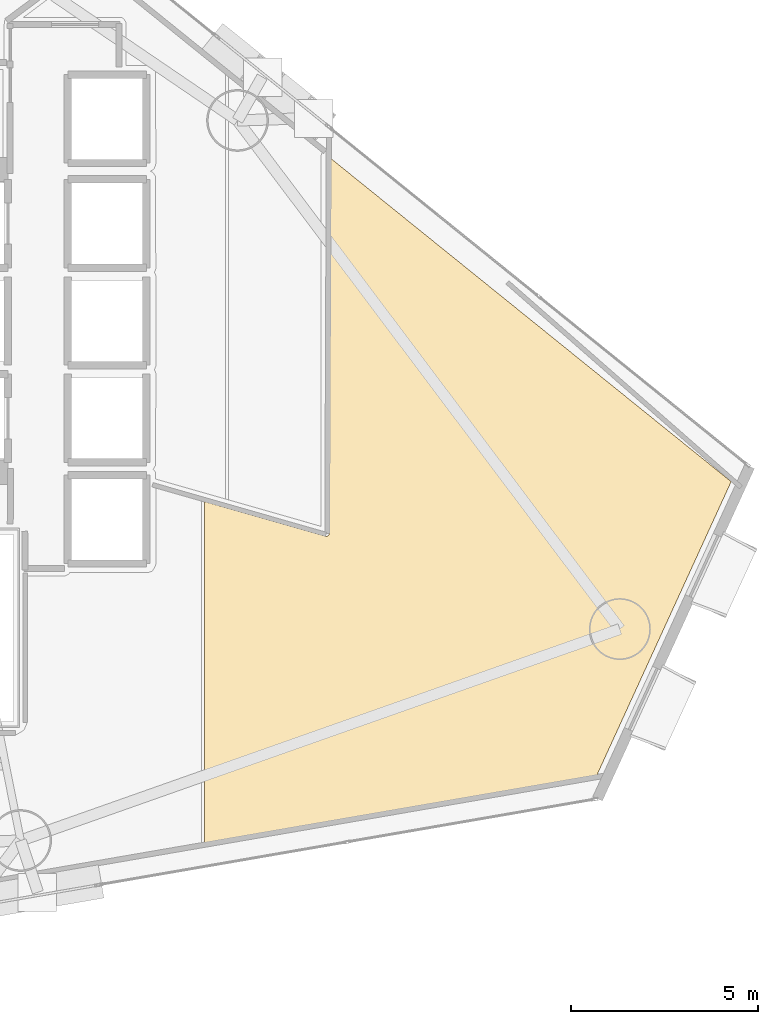
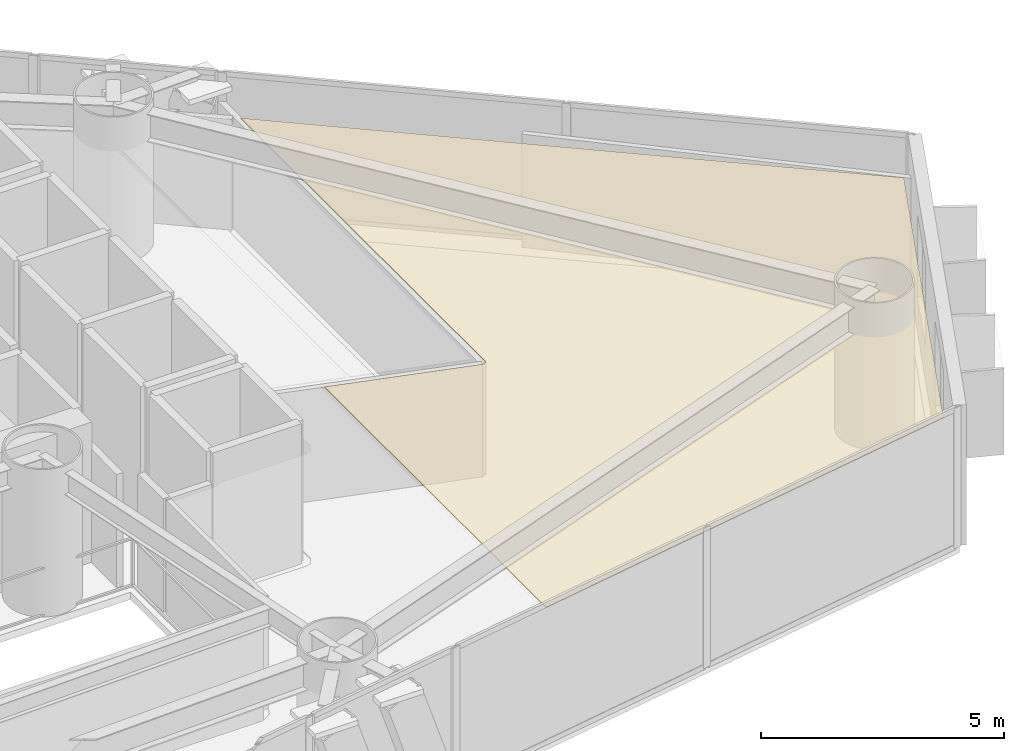
# One storey, part 23 of 23: 1 covering.
"""IFC4 building model written with IfcOpenShell, lengths in metres."""

from ifc_helpers import new_model, si_unit, direction, frame, origin, place, context, subcontext, project, spatial, polyline, outline, extrude, material, layer, layer_set, type_object, element, save


model = new_model("IFC4")

# Units and contexts
model_context = context("Model", 3, precision=1e-05, world=origin(), true_north=direction((0.0, 1.0)))
body_context = subcontext(model_context, "Body", "Model", "MODEL_VIEW")
ifc_project = project(units=[si_unit("LENGTHUNIT", "METRE"), si_unit("AREAUNIT", "SQUARE_METRE"), si_unit("VOLUMEUNIT", "CUBIC_METRE"), si_unit("PLANEANGLEUNIT", "RADIAN"), si_unit("MASSUNIT", "GRAM", prefix="KILO")], contexts=[model_context])

# Site, building, storey
site_placement = place(None, origin())
site = spatial("IfcSite", under=ifc_project, at=site_placement, CompositionType="ELEMENT")
building_placement = place(site_placement, origin())
building = spatial("IfcBuilding", under=site, at=building_placement, Name="Qianvela Tower", CompositionType="ELEMENT")
storey_placement = place(building_placement, frame((0.0, 0.0, 82.10009765625)))
storey = spatial("IfcBuildingStorey", under=building, at=storey_placement, Name="L20", CompositionType="ELEMENT", Elevation=82.10009765625)

# Covering
ifc_material = material(Name="Perforated Mineral Acoustic Ceiling Tile")
ifc_layer = layer(ifc_material, 0.02490234375)
ifc_layer_set = layer_set([ifc_layer], Name="Perforated Mineral Acoustic Ceiling Tile")
covering_type = type_object("IfcCoveringType", Name="COV-CEIL-ACOUSTIC-25", PredefinedType="CEILING", material=ifc_layer_set)
covering_placement = place(storey_placement, frame((0.0, 0.0, 2.81494140625)))
element("IfcCovering", 1, at=covering_placement, inside=storey, type_object=covering_type, Name="L20 Acoustic Ceiling Bay 2 Graduate Seminar Classroom L20-02", PredefinedType="CEILING", context=body_context, shape_type="SweptSolid", body=[
    extrude(outline(polyline([(59.172119140625, 24.406982421875), (55.584716796875, 16.56494140625), (45.107666015625, 14.756591796875), (45.107666015625, 23.8720703125), (48.330810546875, 22.948974609375), (48.33837890625, 22.947265625), (48.34619140625, 22.9462890625), (48.35400390625, 22.94580078125), (48.36181640625, 22.9462890625), (48.369384765625, 22.947509765625), (48.376953125, 22.94970703125), (48.38427734375, 22.952392578125), (48.391357421875, 22.955810546875), (48.39794921875, 22.959716796875), (48.404052734375, 22.96435546875), (48.409912109375, 22.9697265625), (48.4150390625, 22.9755859375), (48.419677734375, 22.981689453125), (48.423583984375, 22.988525390625), (48.427001953125, 22.99560546875), (48.429443359375, 23.0029296875), (48.431396484375, 23.010498046875), (48.4326171875, 23.01806640625), (48.432861328125, 23.02587890625), (48.432861328125, 33.076416015625), (59.172119140625, 24.406982421875)])), origin(), (0.0, 0.0, 1.0), 0.02490234375),
])

save(model, "model.ifc")
